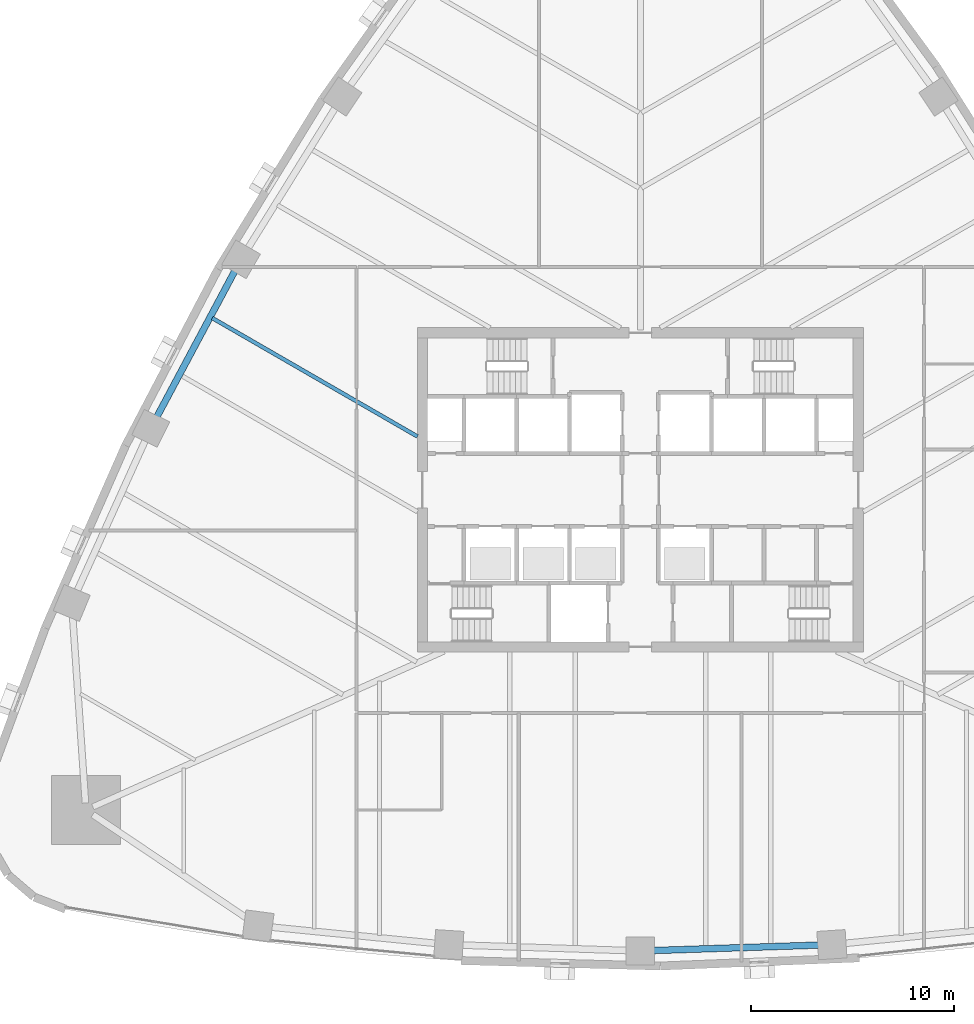
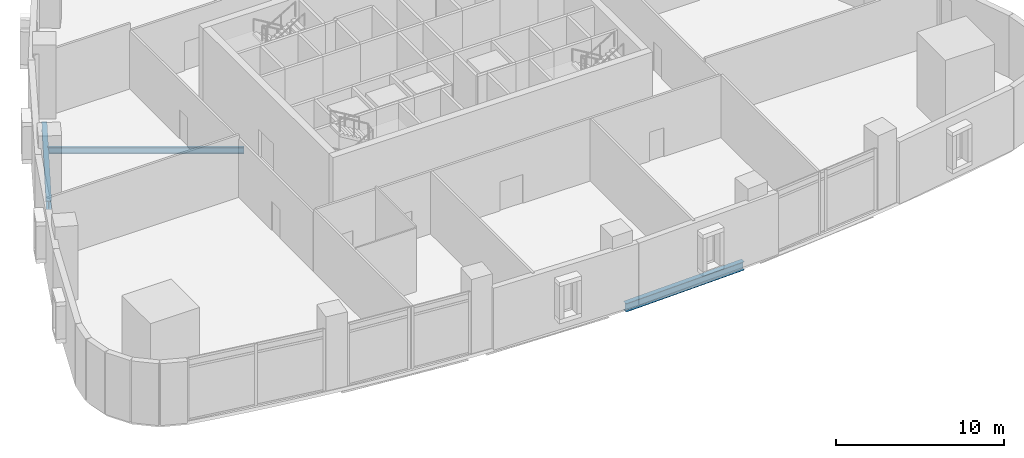
# One storey, part 3 of 14: 3 beams.
"""IFC4 building model written with IfcOpenShell, lengths in metres."""

from ifc_helpers import new_model, si_unit, direction, frame, origin, origin_2d, place, context, subcontext, project, spatial, i_section, extrude, material, material_profile, profile_set, type_object, element, save


model = new_model("IFC4")

# Units and contexts
model_context = context("Model", 3, precision=1e-05, world=origin(), true_north=direction((0.0, 1.0)))
body_context = subcontext(model_context, "Body", "Model", "MODEL_VIEW")
ifc_project = project(units=[si_unit("LENGTHUNIT", "METRE"), si_unit("AREAUNIT", "SQUARE_METRE"), si_unit("VOLUMEUNIT", "CUBIC_METRE"), si_unit("PLANEANGLEUNIT", "RADIAN"), si_unit("MASSUNIT", "GRAM", prefix="KILO")], contexts=[model_context])

# Site, building, storey
site_placement = place(None, origin())
site = spatial("IfcSite", under=ifc_project, at=site_placement, CompositionType="ELEMENT")
building_placement = place(site_placement, origin())
building = spatial("IfcBuilding", under=site, at=building_placement, Name="Sierra Prisma Convention Tower", CompositionType="ELEMENT")
storey_placement = place(building_placement, frame((0.0, 0.0, 16.800048828125)))
storey = spatial("IfcBuildingStorey", under=building, at=storey_placement, Name="L02", CompositionType="ELEMENT", Elevation=16.800048828125)

# Beams
ifc_material_1 = material(Name="Steel ASTM A992 Gr 50", Category="steel")
ifc_material_profile_1 = material_profile(ifc_material_1, i_section(OverallWidth=0.18994140625, OverallDepth=0.45703125, WebThickness=0.009033203125, FlangeThickness=0.014404296875, at=origin_2d()), Name="W460x74")
ifc_profile_set_1 = profile_set([ifc_material_profile_1], Name="Steel ASTM A992 Gr 50")
beam_type_1 = type_object("IfcBeamType", Name="Floor joist W460x74", PredefinedType="JOIST", material=ifc_profile_set_1)
beam_1_placement = place(storey_placement, frame((-21.1220703125, 8.478759765625, -0.478515625), z_axis=(0.866024880635, -0.500000906121, 0.0), x_axis=(0.500000906121, 0.866024880635, 0.0)))
element("IfcBeam", 1, at=beam_1_placement, inside=storey, type_object=beam_type_1, Name="Floor joist L02 NW10", PredefinedType="JOIST", context=body_context, shape_type="SweptSolid", body=[
    extrude(i_section(OverallWidth=0.18994140625, OverallDepth=0.45703125, WebThickness=0.009033203125, FlangeThickness=0.014404296875, at=origin_2d()), origin(), (0.0, 0.0, 1.0), 11.68798828125),
])
ifc_material_2 = material(Name="Steel ASTM A992 Gr 50", Category="steel")
ifc_material_profile_2 = material_profile(ifc_material_2, i_section(OverallWidth=0.324951171875, OverallDepth=0.615966796875, WebThickness=0.013916015625, FlangeThickness=0.021484375, at=origin_2d()), Name="W610x174")
ifc_profile_set_2 = profile_set([ifc_material_profile_2], Name="Steel ASTM A992 Gr 50")
beam_type_2 = type_object("IfcBeamType", Name="Spandrel beam W610x174", PredefinedType="BEAM", material=ifc_profile_set_2)
beam_2_placement = place(storey_placement, frame((0.580078125, -22.73095703125, -0.55810546875), z_axis=(0.999459413184, 0.032876760742, 0.0), x_axis=(-0.032876760742, 0.999459413184, 0.0)))
element("IfcBeam", 2, at=beam_2_placement, inside=storey, type_object=beam_type_2, Name="Spandrel L02-04", PredefinedType="BEAM", context=body_context, shape_type="SweptSolid", body=[
    extrude(i_section(OverallWidth=0.324951171875, OverallDepth=0.615966796875, WebThickness=0.013916015625, FlangeThickness=0.021484375, at=origin_2d()), origin(), (0.0, 0.0, 1.0), 8.294677734375),
])
beam_3_placement = place(storey_placement, frame((-19.9755859375, 10.863037109375, -0.55810546875), z_axis=(-0.471267929576, -0.881990101165, 0.0), x_axis=(0.881990101165, -0.471267929576, 0.0)))
element("IfcBeam", 3, at=beam_3_placement, inside=storey, type_object=beam_type_2, Name="Spandrel L02-16", PredefinedType="BEAM", context=body_context, shape_type="SweptSolid", body=[
    extrude(i_section(OverallWidth=0.324951171875, OverallDepth=0.615966796875, WebThickness=0.013916015625, FlangeThickness=0.021484375, at=origin_2d()), origin(), (0.0, 0.0, 1.0), 8.29443359375),
])

save(model, "model.ifc")
